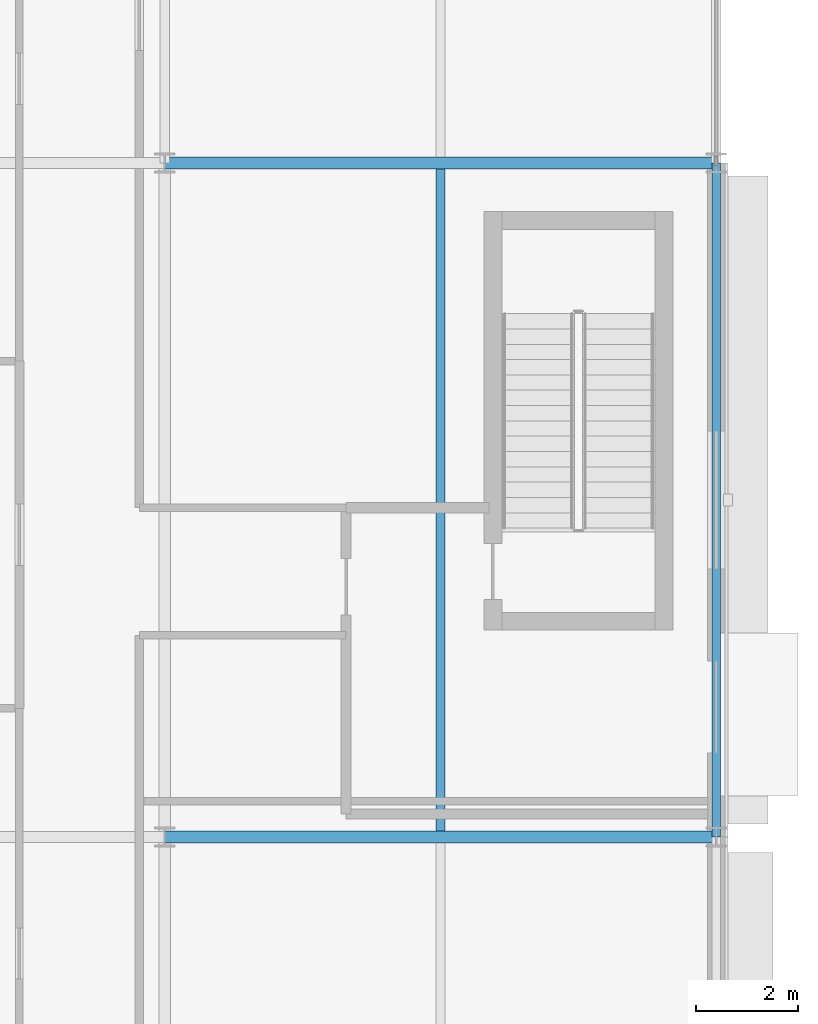
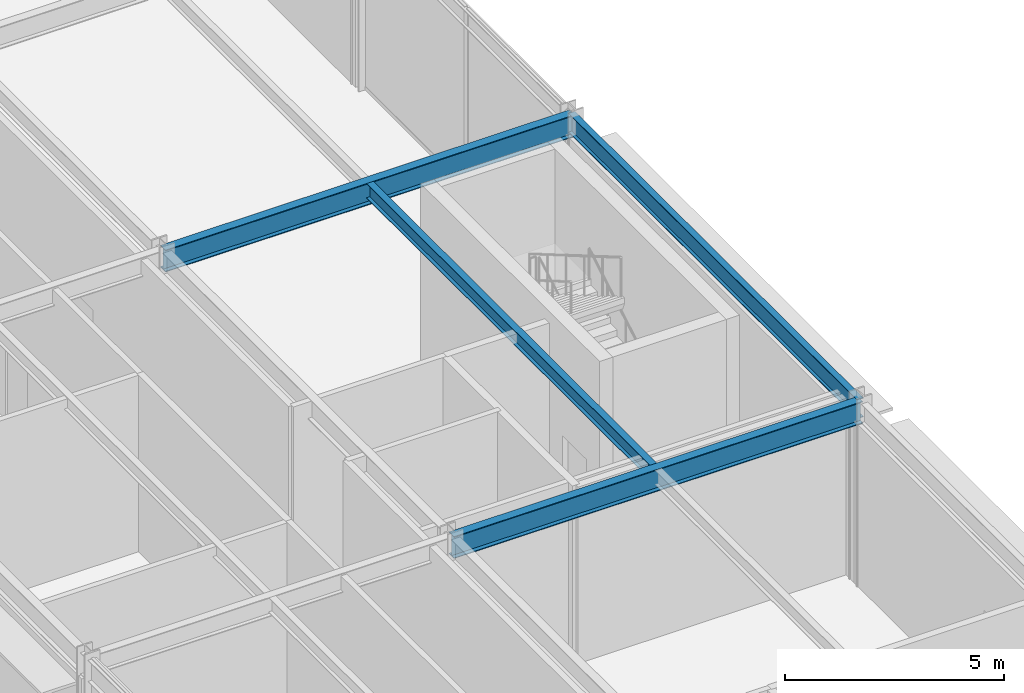
# One storey, part 107 of 168: 4 beams.
"""IFC4 building model written with IfcOpenShell, lengths in metres."""

import ifcopenshell
import ifcopenshell.guid

model = None  # the IFC model being written
_history = None  # IfcOwnerHistory: only IFC2X3 demands one
_inside = {}  # id of a spatial element -> (the spatial element, [elements in it])
_under = {}  # id of a project, library or spatial element -> (it, [spatial elements below it])
_declared = {}  # id of a project -> (the project, [libraries it declares])
_typed = {}  # id of a type object -> (the type object, [elements of that type])
_made_of = {}  # id of a material, layer set ... -> (it, [elements and type objects made of it])


def new_model(schema):
    """Start an empty IFC model of exactly this schema.

    Asked for "IFC4X3", IfcOpenShell would pick the latest addendum, in which some entities
    have other attributes; the version numbers below select the first issue.
    IFC2X3 requires an IfcOwnerHistory on every rooted entity: one is made here for all.
    """
    global model, _history
    if schema == "IFC4X3":
        model = ifcopenshell.file(schema_version=(4, 3, 0, 0))
    else:
        model = ifcopenshell.file(schema=schema)
    _inside.clear()
    _under.clear()
    _declared.clear()
    _typed.clear()
    _made_of.clear()
    _history = None
    if model.schema == "IFC2X3":
        org = make("IfcOrganization", Name="unknown")
        user = make(
            "IfcPersonAndOrganization",
            ThePerson=make("IfcPerson", FamilyName="unknown"),
            TheOrganization=org,
        )
        app = make(
            "IfcApplication",
            ApplicationDeveloper=org,
            Version="unknown",
            ApplicationFullName="unknown",
            ApplicationIdentifier="unknown",
        )
        _history = make(
            "IfcOwnerHistory",
            OwningUser=user,
            OwningApplication=app,
            ChangeAction="ADDED",
            CreationDate=0,
        )
    return model


def make(cls, **values):
    """One entity of the class cls with the attributes given. An attribute that is None is left unset."""
    return model.create_entity(
        cls, **{name: value for name, value in values.items() if value is not None}
    )


def rooted(cls, **values):
    """An entity with a GlobalId (a new one), such as an element, a storey or a relation."""
    return make(cls, GlobalId=ifcopenshell.guid.new(), OwnerHistory=_history, **values)


def si_unit(unit_type, name, prefix=None):
    """IfcSIUnit, for example si_unit("LENGTHUNIT", "METRE", prefix="MILLI")."""
    return make("IfcSIUnit", UnitType=unit_type, Prefix=prefix, Name=name)


def assignment(units):
    """IfcUnitAssignment: the units of a project."""
    return None if units is None else make("IfcUnitAssignment", Units=units)


def point(xyz):
    """IfcCartesianPoint."""
    return None if xyz is None else make("IfcCartesianPoint", Coordinates=xyz)


def direction(xyz):
    """IfcDirection."""
    return None if xyz is None else make("IfcDirection", DirectionRatios=xyz)


def frame(location, z_axis=None, x_axis=None):
    """IfcAxis2Placement3D, a coordinate frame: its origin and axes. An axis left out is left unset."""
    return make(
        "IfcAxis2Placement3D",
        Location=point(location),
        Axis=direction(z_axis),
        RefDirection=direction(x_axis),
    )


def frame_2d(location, x_axis=None):
    """IfcAxis2Placement2D, a coordinate frame in the plane: its origin and x axis."""
    return make(
        "IfcAxis2Placement2D", Location=point(location), RefDirection=direction(x_axis)
    )


def origin():
    """The frame at (0, 0, 0) with its axes left unset."""
    return frame((0.0, 0.0, 0.0))


def origin_2d():
    """The frame at (0, 0) in the plane with its x axis left unset."""
    return frame_2d((0.0, 0.0))


def place(relative_to, where):
    """IfcLocalPlacement: puts the frame where relative to a parent placement (None: the world)."""
    return make(
        "IfcLocalPlacement", PlacementRelTo=relative_to, RelativePlacement=where
    )


def context(
    kind, dimensions, precision=None, world=None, true_north=None, identifier=None
):
    """IfcGeometricRepresentationContext, for example the 3D "Model" context."""
    return make(
        "IfcGeometricRepresentationContext",
        ContextIdentifier=identifier,
        ContextType=kind,
        CoordinateSpaceDimension=dimensions,
        Precision=precision,
        WorldCoordinateSystem=world,
        TrueNorth=true_north,
    )


def subcontext(parent, identifier, kind, view, scale=None):
    """IfcGeometricRepresentationSubContext, for example "Body" below "Model"."""
    return make(
        "IfcGeometricRepresentationSubContext",
        ContextIdentifier=identifier,
        ContextType=kind,
        ParentContext=parent,
        TargetScale=scale,
        TargetView=view,
    )


def project(units=None, contexts=None):
    """IfcProject with its units and contexts."""
    return rooted(
        "IfcProject",
        Name="project",
        RepresentationContexts=contexts,
        UnitsInContext=assignment(units),
    )


def spatial(cls, under=None, at=None, **own):
    """A site, building, storey or space (cls), placed at a placement, below another one or the project."""
    s = rooted(cls, ObjectPlacement=at, **own)
    if under is not None:
        _under.setdefault(under.id(), (under, []))[1].append(s)
    return s


def profile(cls, at=None, kind="AREA", **sizes):
    """A parametric profile (cls). Its sizes go by their IFC names, for example OverallWidth=200.0."""
    return make(cls, ProfileType=kind, Position=at, **sizes)


def i_section(**sizes):
    """IfcIShapeProfileDef."""
    return profile("IfcIShapeProfileDef", **sizes)


def extrude(swept, where, along, depth):
    """IfcExtrudedAreaSolid: the profile swept, set in the frame where, extruded along a direction by depth."""
    return make(
        "IfcExtrudedAreaSolid",
        SweptArea=swept,
        Position=where,
        ExtrudedDirection=direction(along),
        Depth=depth,
    )


def shape(context_of_items, identifier, shape_type, items):
    """IfcShapeRepresentation: the items that make up one representation, for example the "Body"."""
    return make(
        "IfcShapeRepresentation",
        ContextOfItems=context_of_items,
        RepresentationIdentifier=identifier,
        RepresentationType=shape_type,
        Items=items,
    )


def material(Name=None, Category=None):
    """IfcMaterial."""
    return make("IfcMaterial", Name=Name, Category=Category)


def material_profile(
    of_material, cross_section, Name=None, Category=None, Priority=None
):
    """IfcMaterialProfile: a cross section and its material."""
    return make(
        "IfcMaterialProfile",
        Name=Name,
        Material=of_material,
        Profile=cross_section,
        Priority=Priority,
        Category=Category,
    )


def profile_set(profiles, Name=None, composite=None):
    """IfcMaterialProfileSet."""
    return make(
        "IfcMaterialProfileSet",
        Name=Name,
        MaterialProfiles=profiles,
        CompositeProfile=composite,
    )


def made_of(thing, what):
    """Note that an element or type object is made of a material, layer set ...; save() writes the relation."""
    if what is not None:
        _made_of.setdefault(what.id(), (what, []))[1].append(thing)
    return thing


def type_object(cls, material=None, **own):
    """A type object (cls), such as IfcWallType, which elements share."""
    return made_of(rooted(cls, **own), material)


def element(
    cls,
    number,
    at=None,
    inside=None,
    cuts=None,
    type_object=None,
    material=None,
    context=None,
    identifier="Body",
    shape_type=None,
    held_by="IfcProductDefinitionShape",
    body=None,
    shapes=None,
    **own,
):
    """One element of the class cls, such as IfcWall. Its Tag is "e" and its number.

    at: its placement. inside: the storey or other place that contains it. cuts: it is an
    opening in that element (IfcRelVoidsElement). A single representation is given by context,
    identifier, shape_type and body (its items); several are given by shapes. held_by: the class
    of the entity that holds the representations. save() writes the other relations.
    """
    e = rooted(cls, Tag="e%d" % number, ObjectPlacement=at, **own)
    if body is not None:
        shapes = [shape(context, identifier, shape_type, body)]
    if shapes is not None:
        e.Representation = make(held_by, Representations=shapes)
    if inside is not None:
        _inside.setdefault(inside.id(), (inside, []))[1].append(e)
    if cuts is not None:
        rooted(
            "IfcRelVoidsElement", RelatingBuildingElement=cuts, RelatedOpeningElement=e
        )
    if type_object is not None:
        _typed.setdefault(type_object.id(), (type_object, []))[1].append(e)
    return made_of(e, material)


def aggregate(whole, parts):
    """IfcRelAggregates: a whole, such as a stair, and the parts it consists of."""
    return rooted("IfcRelAggregates", RelatingObject=whole, RelatedObjects=parts)


def save(model, path):
    """Write the relations noted so far, then the file.

    IfcRelAggregates (storeys below a building ...), IfcRelContainedInSpatialStructure (elements
    in a storey), IfcRelDefinesByType, IfcRelAssociatesMaterial and IfcRelDeclares: one each for
    every whole, place, type object, material and project.
    """
    for whole, parts in _under.values():
        aggregate(whole, parts)
    for where, things in _inside.values():
        rooted(
            "IfcRelContainedInSpatialStructure",
            RelatedElements=things,
            RelatingStructure=where,
        )
    for kind, things in _typed.values():
        rooted("IfcRelDefinesByType", RelatedObjects=things, RelatingType=kind)
    for what, things in _made_of.values():
        rooted("IfcRelAssociatesMaterial", RelatedObjects=things, RelatingMaterial=what)
    for by, libraries in _declared.values():
        rooted("IfcRelDeclares", RelatingContext=by, RelatedDefinitions=libraries)
    model.write(path)


model = new_model("IFC4")

# Units and contexts
model_context = context("Model", 3, precision=1e-05, world=origin(), true_north=direction((0.0, 1.0)))
body_context = subcontext(model_context, "Body", "Model", "MODEL_VIEW")
ifc_project = project(units=[si_unit("LENGTHUNIT", "METRE"), si_unit("AREAUNIT", "SQUARE_METRE"), si_unit("VOLUMEUNIT", "CUBIC_METRE"), si_unit("PLANEANGLEUNIT", "RADIAN"), si_unit("MASSUNIT", "GRAM", prefix="KILO")], contexts=[model_context])

# Site, building, storey
site_placement = place(None, origin())
site = spatial("IfcSite", under=ifc_project, at=site_placement, CompositionType="ELEMENT")
building_placement = place(site_placement, origin())
building = spatial("IfcBuilding", under=site, at=building_placement, Name="Almandine Court Research Institute", CompositionType="ELEMENT")
storey_placement = place(building_placement, origin())
storey = spatial("IfcBuildingStorey", under=building, at=storey_placement, Name="L00", CompositionType="ELEMENT", Elevation=0.0)

# Beams
ifc_material = material(Name="Steel ASTM A992 Grade 50", Category="steel")
ifc_material_profile_1 = material_profile(ifc_material, i_section(OverallWidth=0.178955078125, OverallDepth=0.409912109375, WebThickness=0.009033203125, FlangeThickness=0.013916015625, at=origin_2d()), Name="W410x67")
ifc_profile_set_1 = profile_set([ifc_material_profile_1], Name="Steel ASTM A992 Grade 50")
beam_type_1 = type_object("IfcBeamType", Name="Beam-B-02", PredefinedType="JOIST", material=ifc_profile_set_1)
beam_1_placement = place(storey_placement, frame((168.60009765625, 70.9130859375, 4.864990234375), z_axis=(0.0, 1.0, 0.0), x_axis=(-1.0, 0.0, 0.0)))
element("IfcBeam", 1, at=beam_1_placement, inside=storey, type_object=beam_type_1, Name="L00 V4 Composite Secondary Beam", PredefinedType="JOIST", context=body_context, shape_type="SweptSolid", body=[
    extrude(i_section(OverallWidth=0.178955078125, OverallDepth=0.409912109375, WebThickness=0.009033203125, FlangeThickness=0.013916015625, at=origin_2d()), origin(), (0.0, 0.0, 1.0), 12.973876953125),
])
ifc_material_profile_2 = material_profile(ifc_material, i_section(OverallWidth=0.22998046875, OverallDepth=0.616943359375, WebThickness=0.012939453125, FlangeThickness=0.02197265625, at=origin_2d()), Name="W610x140")
ifc_profile_set_2 = profile_set([ifc_material_profile_2], Name="Steel ASTM A992 Grade 50")
beam_type_2 = type_object("IfcBeamType", Name="Beam-G-02", PredefinedType="BEAM", material=ifc_profile_set_2)
for number, where, z_axis, x_axis, name in (
    (2, (163.199951171875, 70.800048828125, 4.760986328125), (1.0, 0.0, 0.0), (0.0, 1.0, 0.0), "L00 V4 Primary X Girder"),
    (3, (163.199951171875, 84.0, 4.760986328125), (1.0, 0.0, 0.0), (0.0, 1.0, 0.0), "L00 V4 Primary X Girder"),
):
    element("IfcBeam", number, at=place(storey_placement, frame(where, z_axis=z_axis, x_axis=x_axis)), inside=storey, type_object=beam_type_2, Name=name, PredefinedType="BEAM", context=body_context, shape_type="SweptSolid", body=[
        extrude(i_section(OverallWidth=0.22998046875, OverallDepth=0.616943359375, WebThickness=0.012939453125, FlangeThickness=0.02197265625, at=origin_2d()), origin(), (0.0, 0.0, 1.0), 10.800048828125),
    ])
ifc_material_profile_3 = material_profile(ifc_material, i_section(OverallWidth=0.166015625, OverallDepth=0.534912109375, WebThickness=0.010009765625, FlangeThickness=0.01708984375, at=origin_2d()), Name="W530x85")
ifc_profile_set_3 = profile_set([ifc_material_profile_3], Name="Steel ASTM A992 Grade 50")
beam_type_3 = type_object("IfcBeamType", Name="Beam-G-05-E", PredefinedType="SPANDREL", material=ifc_profile_set_3)
beam_2_placement = place(storey_placement, frame((174.0, 70.800048828125, 4.802978515625), z_axis=(0.0, 1.0, 0.0), x_axis=(-1.0, 0.0, 0.0)))
element("IfcBeam", 4, at=beam_2_placement, inside=storey, type_object=beam_type_3, Name="L00 V4 Primary Y Girder", PredefinedType="SPANDREL", context=body_context, shape_type="SweptSolid", body=[
    extrude(i_section(OverallWidth=0.166015625, OverallDepth=0.534912109375, WebThickness=0.010009765625, FlangeThickness=0.01708984375, at=origin_2d()), origin(), (0.0, 0.0, 1.0), 13.199951171875),
])

save(model, "model.ifc")
